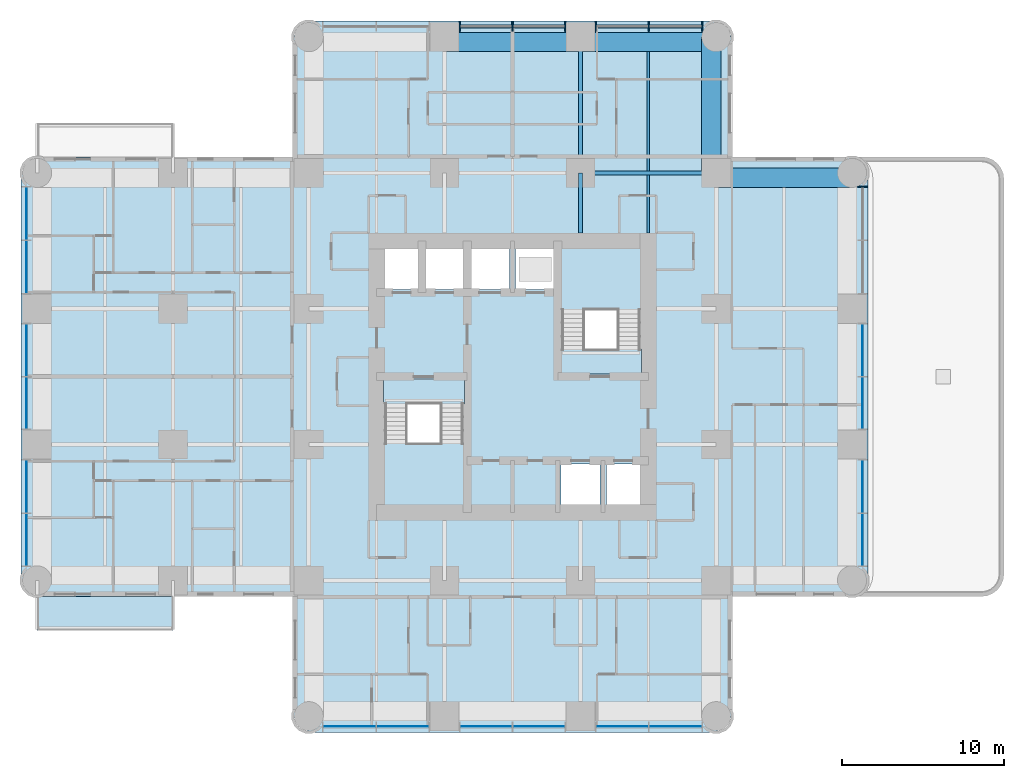
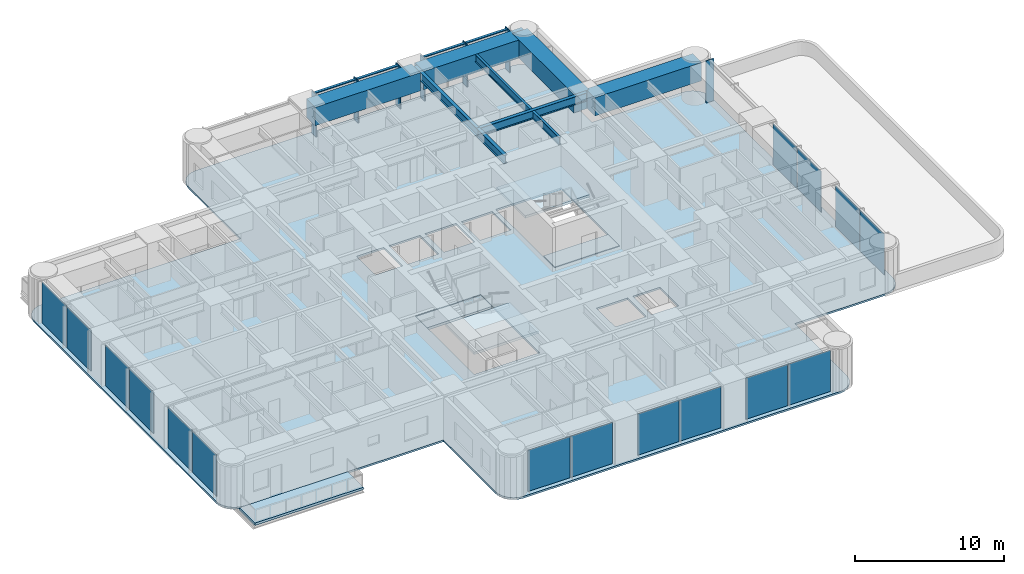
# One storey, part 3 of 12: 16 plates, 11 members, 9 beams, 6 slabs, 6 elements without a shape of their own.
"""IFC4 building model written with IfcOpenShell, lengths in metres."""

from ifc_helpers import new_model, si_unit, direction, frame, origin, origin_2d, place, context, subcontext, project, spatial, polyline, rectangle, i_section, outline, extrude, material, layer, layer_set, material_profile, profile_set, type_object, element, aggregate, save


model = new_model("IFC4")

# Units and contexts
model_context = context("Model", 3, precision=1e-05, world=origin(), true_north=direction((0.0, 1.0)))
body_context = subcontext(model_context, "Body", "Model", "MODEL_VIEW")
ifc_project = project(units=[si_unit("LENGTHUNIT", "METRE"), si_unit("AREAUNIT", "SQUARE_METRE"), si_unit("VOLUMEUNIT", "CUBIC_METRE"), si_unit("PLANEANGLEUNIT", "RADIAN"), si_unit("MASSUNIT", "GRAM", prefix="KILO")], contexts=[model_context])

# Site, building, storey
site_placement = place(None, origin())
site = spatial("IfcSite", under=ifc_project, at=site_placement, CompositionType="ELEMENT")
building_placement = place(site_placement, origin())
building = spatial("IfcBuilding", under=site, at=building_placement, Name="Torre Alcanfor", CompositionType="ELEMENT")
storey_placement = place(building_placement, frame((0.0, 0.0, 183.300048828125)))
storey = spatial("IfcBuildingStorey", under=building, at=storey_placement, Name="L47", CompositionType="ELEMENT", Elevation=183.300048828125)

# Curtain wall, member
ifc_material_1 = material(Name="Aluminium and glass", Category="aluminium")
curtain_wall_type = type_object("IfcCurtainWallType", Name="CW-A unitised apartment glazing with vertical FIN", PredefinedType="NOTDEFINED", material=ifc_material_1)
curtain_wall_1_placement = place(storey_placement, origin())
curtain_wall_1 = element("IfcCurtainWall", 1, at=curtain_wall_1_placement, inside=storey, type_object=curtain_wall_type, Name="Curtain wall CW-A L47 8", PredefinedType="NOTDEFINED")
ifc_material_2 = material(Name="Bronze anodised aluminium", Category="aluminium")
ifc_material_profile_1 = material_profile(ifc_material_2, rectangle(XDim=0.60009765625, YDim=0.06494140625, at=origin_2d()), Name="CW-A mullion 65x600")
ifc_profile_set_1 = profile_set([ifc_material_profile_1], Name="Bronze anodised aluminium")
member_type_1 = type_object("IfcMemberType", Name="CW-A mullion with vertical FIN 65x600", PredefinedType="MULLION", material=ifc_profile_set_1)
member_1_placement = place(storey_placement, frame((51.050048828125, 41.133056640625, 0.0), z_axis=(0.0, 0.0, 1.0), x_axis=(-1.0, 0.0, 0.0)))
member_1 = element("IfcMember", 2, at=member_1_placement, type_object=member_type_1, Name="CW-A mullion 3.3", PredefinedType="MULLION", context=body_context, shape_type="SweptSolid", body=[
    extrude(rectangle(XDim=0.60009765625, YDim=0.06494140625, at=origin_2d()), origin(), (0.0, 0.0, 1.0), 3.449951171875),
])

# Curtain wall, members
curtain_wall_2_placement = place(storey_placement, origin())
curtain_wall_2 = element("IfcCurtainWall", 3, at=curtain_wall_2_placement, inside=storey, type_object=curtain_wall_type, Name="Curtain wall CW-A L47 11", PredefinedType="NOTDEFINED")
member_2_placement = place(storey_placement, frame((41.133056640625, 51.050048828125, 0.0), z_axis=(0.0, 0.0, 1.0), x_axis=(0.0, -1.0, 0.0)))
member_2 = element("IfcMember", 4, at=member_2_placement, type_object=member_type_1, Name="CW-A mullion 1.1", PredefinedType="MULLION", context=body_context, shape_type="SweptSolid", body=[
    extrude(rectangle(XDim=0.60009765625, YDim=0.06494140625, at=origin_2d()), origin(), (0.0, 0.0, 1.0), 3.449951171875),
])
member_3_placement = place(storey_placement, frame((37.835205078125, 51.050048828125, 0.0), z_axis=(0.0, 0.0, 1.0), x_axis=(0.0, -1.0, 0.0)))
member_3 = element("IfcMember", 5, at=member_3_placement, type_object=member_type_1, Name="CW-A mullion 1.2", PredefinedType="MULLION", context=body_context, shape_type="SweptSolid", body=[
    extrude(rectangle(XDim=0.60009765625, YDim=0.06494140625, at=origin_2d()), origin(), (0.0, 0.0, 1.0), 3.449951171875),
])
member_4_placement = place(storey_placement, frame((34.53759765625, 51.050048828125, 0.0), z_axis=(0.0, 0.0, 1.0), x_axis=(0.0, -1.0, 0.0)))
member_4 = element("IfcMember", 6, at=member_4_placement, type_object=member_type_1, Name="CW-A mullion 1.3", PredefinedType="MULLION", context=body_context, shape_type="SweptSolid", body=[
    extrude(rectangle(XDim=0.60009765625, YDim=0.06494140625, at=origin_2d()), origin(), (0.0, 0.0, 1.0), 3.449951171875),
])
member_5_placement = place(storey_placement, frame((32.66259765625, 51.050048828125, 0.0), z_axis=(0.0, 0.0, 1.0), x_axis=(0.0, -1.0, 0.0)))
member_5 = element("IfcMember", 7, at=member_5_placement, type_object=member_type_1, Name="CW-A mullion 2.1", PredefinedType="MULLION", context=body_context, shape_type="SweptSolid", body=[
    extrude(rectangle(XDim=0.60009765625, YDim=0.06494140625, at=origin_2d()), origin(), (0.0, 0.0, 1.0), 3.449951171875),
])
member_6_placement = place(storey_placement, frame((29.39990234375, 51.050048828125, 0.0), z_axis=(0.0, 0.0, 1.0), x_axis=(0.0, -1.0, 0.0)))
member_6 = element("IfcMember", 8, at=member_6_placement, type_object=member_type_1, Name="CW-A mullion 2.2", PredefinedType="MULLION", context=body_context, shape_type="SweptSolid", body=[
    extrude(rectangle(XDim=0.60009765625, YDim=0.06494140625, at=origin_2d()), origin(), (0.0, 0.0, 1.0), 3.449951171875),
])
member_7_placement = place(storey_placement, frame((26.137451171875, 51.050048828125, 0.0), z_axis=(0.0, 0.0, 1.0), x_axis=(0.0, -1.0, 0.0)))
member_7 = element("IfcMember", 9, at=member_7_placement, type_object=member_type_1, Name="CW-A mullion 2.3", PredefinedType="MULLION", context=body_context, shape_type="SweptSolid", body=[
    extrude(rectangle(XDim=0.60009765625, YDim=0.06494140625, at=origin_2d()), origin(), (0.0, 0.0, 1.0), 3.449951171875),
])
ifc_material_3 = material(Name="Extruded aluminium", Category="aluminium")
ifc_material_profile_2 = material_profile(ifc_material_3, rectangle(XDim=0.199951171875, YDim=0.06494140625, at=origin_2d()), Name="CW-A transom 200x65")
ifc_profile_set_2 = profile_set([ifc_material_profile_2], Name="Extruded aluminium")
member_type_2 = type_object("IfcMemberType", Name="CW-A transom 65x200", PredefinedType="USERDEFINED", material=ifc_profile_set_2)
member_8_placement = place(storey_placement, frame((41.1005859375, 51.050048828125, 3.41748046875), z_axis=(-1.0, 0.0, 0.0), x_axis=(0.0, -1.0, 0.0)))
member_8 = element("IfcMember", 10, at=member_8_placement, type_object=member_type_2, Name="CW-A transom 1.1.2", ObjectType="TRANSOM", PredefinedType="USERDEFINED", context=body_context, shape_type="SweptSolid", body=[
    extrude(rectangle(XDim=0.199951171875, YDim=0.06494140625, at=origin_2d()), origin(), (0.0, 0.0, 1.0), 3.23291015625),
])
member_9_placement = place(storey_placement, frame((37.802734375, 51.050048828125, 3.41748046875), z_axis=(-1.0, 0.0, 0.0), x_axis=(0.0, -1.0, 0.0)))
member_9 = element("IfcMember", 11, at=member_9_placement, type_object=member_type_2, Name="CW-A transom 1.2.2", ObjectType="TRANSOM", PredefinedType="USERDEFINED", context=body_context, shape_type="SweptSolid", body=[
    extrude(rectangle(XDim=0.199951171875, YDim=0.06494140625, at=origin_2d()), origin(), (0.0, 0.0, 1.0), 3.232666015625),
])
member_10_placement = place(storey_placement, frame((32.6298828125, 51.050048828125, 3.41748046875), z_axis=(-1.0, 0.0, 0.0), x_axis=(0.0, -1.0, 0.0)))
member_10 = element("IfcMember", 12, at=member_10_placement, type_object=member_type_2, Name="CW-A transom 2.1.2", ObjectType="TRANSOM", PredefinedType="USERDEFINED", context=body_context, shape_type="SweptSolid", body=[
    extrude(rectangle(XDim=0.199951171875, YDim=0.06494140625, at=origin_2d()), origin(), (0.0, 0.0, 1.0), 3.197265625),
])
member_11_placement = place(storey_placement, frame((29.367431640625, 51.050048828125, 3.41748046875), z_axis=(-1.0, 0.0, 0.0), x_axis=(0.0, -1.0, 0.0)))
member_11 = element("IfcMember", 13, at=member_11_placement, type_object=member_type_2, Name="CW-A transom 2.2.2", ObjectType="TRANSOM", PredefinedType="USERDEFINED", context=body_context, shape_type="SweptSolid", body=[
    extrude(rectangle(XDim=0.199951171875, YDim=0.06494140625, at=origin_2d()), origin(), (0.0, 0.0, 1.0), 3.197509765625),
])
aggregate(curtain_wall_2, [member_2, member_3, member_4, member_8, member_9, member_5, member_6, member_7, member_10, member_11])

# Beams
ifc_material_4 = material(Name="Steel ASTM A992 Grade 50", Category="steel")
ifc_material_profile_3 = material_profile(ifc_material_4, i_section(OverallWidth=0.25390625, OverallDepth=0.683349609375, WebThickness=0.012451171875, FlangeThickness=0.01904296875, at=origin_2d()), Name="W27x94")
ifc_profile_set_3 = profile_set([ifc_material_profile_3], Name="Steel ASTM A992 Grade 50")
beam_type_1 = type_object("IfcBeamType", Name="Girder W27x94", PredefinedType="BEAM", material=ifc_profile_set_3)
for number, where, z_axis, x_axis, name in (
    (14, (33.60009765625, 42.0, 3.1083984375), (1.0, 0.0, 0.0), (0.0, 1.0, 0.0), "Beam 5H-6H under L48"),
    (15, (33.60009765625, 42.0, 3.1083984375), (0.0, 1.0, 0.0), (-1.0, 0.0, 0.0), "Beam 5H-5J under L48"),
):
    element("IfcBeam", number, at=place(storey_placement, frame(where, z_axis=z_axis, x_axis=x_axis)), inside=storey, type_object=beam_type_1, Name=name, PredefinedType="BEAM", context=body_context, shape_type="SweptSolid", body=[
        extrude(i_section(OverallWidth=0.25390625, OverallDepth=0.683349609375, WebThickness=0.012451171875, FlangeThickness=0.01904296875, at=origin_2d()), origin(), (0.0, 0.0, 1.0), 8.39990234375),
    ])
ifc_material_5 = material(Name="Steel ASTM A992 Grade 50", Category="steel")
ifc_material_profile_4 = material_profile(ifc_material_5, i_section(OverallWidth=0.25390625, OverallDepth=0.683349609375, WebThickness=0.012451171875, FlangeThickness=0.01904296875, at=origin_2d()), Name="W27x94")
ifc_profile_set_4 = profile_set([ifc_material_profile_4], Name="Steel ASTM A992 Grade 50")
beam_type_2 = type_object("IfcBeamType", Name="Girder, part bay W27x94", PredefinedType="BEAM", material=ifc_profile_set_4)
beam_1_placement = place(storey_placement, frame((33.60009765625, 42.0, 3.1083984375), z_axis=(0.0, -1.0, 0.0), x_axis=(1.0, 0.0, 0.0)))
element("IfcBeam", 16, at=beam_1_placement, inside=storey, type_object=beam_type_2, Name="Beam 5H-538_3 under L48", PredefinedType="BEAM", context=body_context, shape_type="SweptSolid", body=[
    extrude(i_section(OverallWidth=0.25390625, OverallDepth=0.683349609375, WebThickness=0.012451171875, FlangeThickness=0.01904296875, at=origin_2d()), origin(), (0.0, 0.0, 1.0), 3.699951171875),
])
ifc_material_6 = material(Name="Concrete f'c 70 MPa", Category="concrete")
ifc_material_profile_5 = material_profile(ifc_material_6, rectangle(XDim=1.199951171875, YDim=1.5, at=origin_2d()), Name="1200x1500")
ifc_profile_set_5 = profile_set([ifc_material_profile_5], Name="Concrete f'c 70 MPa")
beam_type_3 = type_object("IfcBeamType", Name="RC perimeter beam 1200x1500", PredefinedType="BEAM", material=ifc_profile_set_5)
beam_2_placement = place(storey_placement, frame((42.126953125, 41.699951171875, 2.699951171875), z_axis=(1.0, 0.0, 0.0), x_axis=(0.0, 1.0, 0.0)))
element("IfcBeam", 17, at=beam_2_placement, inside=storey, type_object=beam_type_3, Name="Beam 6H-7H under L48", PredefinedType="BEAM", context=body_context, shape_type="SweptSolid", body=[
    extrude(rectangle(XDim=1.199951171875, YDim=1.5, at=origin_2d()), origin(), (0.0, 0.0, 1.0), 8.27294921875),
])
beam_3_placement = place(storey_placement, frame((25.326904296875, 50.10009765625, 2.699951171875), z_axis=(1.0, 0.0, 0.0), x_axis=(0.0, 1.0, 0.0)))
element("IfcBeam", 18, at=beam_3_placement, inside=storey, type_object=beam_type_3, Name="Beam 4J-5J under L48", PredefinedType="BEAM", context=body_context, shape_type="SweptSolid", body=[
    extrude(rectangle(XDim=1.199951171875, YDim=1.5, at=origin_2d()), origin(), (0.0, 0.0, 1.0), 8.14599609375),
])
for number, where, z_axis, x_axis, name in (
    (19, (33.72705078125, 50.10009765625, 2.699951171875), (1.0, 0.0, 0.0), (0.0, 1.0, 0.0), "Beam 5J-6J under L48"),
    (20, (41.699951171875, 42.126953125, 2.699951171875), (0.0, 1.0, 0.0), (-1.0, 0.0, 0.0), "Beam 6H-6J under L48"),
):
    element("IfcBeam", number, at=place(storey_placement, frame(where, z_axis=z_axis, x_axis=x_axis)), inside=storey, type_object=beam_type_3, Name=name, PredefinedType="BEAM", context=body_context, shape_type="SweptSolid", body=[
        extrude(rectangle(XDim=1.199951171875, YDim=1.5, at=origin_2d()), origin(), (0.0, 0.0, 1.0), 8.27294921875),
    ])
ifc_material_7 = material(Name="Steel ASTM A992 Grade 50", Category="steel")
ifc_material_profile_6 = material_profile(ifc_material_7, i_section(OverallWidth=0.1787109375, OverallDepth=0.60205078125, WebThickness=0.010986328125, FlangeThickness=0.014892578125, at=origin_2d()), Name="W24x62")
ifc_profile_set_6 = profile_set([ifc_material_profile_6], Name="Steel ASTM A992 Grade 50")
beam_type_4 = type_object("IfcBeamType", Name="Secondary beam W24x62", PredefinedType="BEAM", material=ifc_profile_set_6)
beam_4_placement = place(storey_placement, frame((37.800048828125, 42.126953125, 3.14892578125), z_axis=(0.0, 1.0, 0.0), x_axis=(-1.0, 0.0, 0.0)))
element("IfcBeam", 21, at=beam_4_placement, inside=storey, type_object=beam_type_4, Name="Beam 37_8H-37_8J under L48", PredefinedType="BEAM", context=body_context, shape_type="SweptSolid", body=[
    extrude(i_section(OverallWidth=0.1787109375, OverallDepth=0.60205078125, WebThickness=0.010986328125, FlangeThickness=0.014892578125, at=origin_2d()), origin(), (0.0, 0.0, 1.0), 7.373046875),
])
ifc_material_8 = material(Name="Steel ASTM A992 Grade 50", Category="steel")
ifc_material_profile_7 = material_profile(ifc_material_8, i_section(OverallWidth=0.1787109375, OverallDepth=0.60205078125, WebThickness=0.010986328125, FlangeThickness=0.014892578125, at=origin_2d()), Name="W24x62")
ifc_profile_set_7 = profile_set([ifc_material_profile_7], Name="Steel ASTM A992 Grade 50")
beam_type_5 = type_object("IfcBeamType", Name="Secondary beam, part bay W24x62", PredefinedType="BEAM", material=ifc_profile_set_7)
beam_5_placement = place(storey_placement, frame((37.800048828125, 38.300048828125, 3.14892578125), z_axis=(0.0, 1.0, 0.0), x_axis=(-1.0, 0.0, 0.0)))
element("IfcBeam", 22, at=beam_5_placement, inside=storey, type_object=beam_type_5, Name="Beam 37_838_3-37_8H under L48", PredefinedType="BEAM", context=body_context, shape_type="SweptSolid", body=[
    extrude(i_section(OverallWidth=0.1787109375, OverallDepth=0.60205078125, WebThickness=0.010986328125, FlangeThickness=0.014892578125, at=origin_2d()), origin(), (0.0, 0.0, 1.0), 3.572998046875),
])

# Slab
ifc_material_9 = material(Name="Concrete f'c 35 MPa", Category="concrete")
ifc_layer_1 = layer(ifc_material_9, 0.199951171875)
ifc_layer_set_1 = layer_set([ifc_layer_1], Name="Balcony slab 200")
slab_type_1 = type_object("IfcSlabType", Name="Balcony slab 200", PredefinedType="FLOOR", material=ifc_layer_set_1)
slab_1_placement = place(storey_placement, frame((0.0, 0.0, -0.199951171875)))
element("IfcSlab", 23, at=slab_1_placement, inside=storey, type_object=slab_type_1, Name="Balcony L47-W1", PredefinedType="FLOOR", context=body_context, shape_type="SweptSolid", body=[
    extrude(outline(polyline([(8.39990234375, 15.800048828125), (0.0, 15.800048828125), (0.0, 13.699951171875), (8.39990234375, 13.699951171875), (8.39990234375, 15.800048828125)])), origin(), (0.0, 0.0, 1.0), 0.199951171875),
])

# Curtain wall, plates
curtain_wall_3_placement = place(storey_placement, origin())
curtain_wall_3 = element("IfcCurtainWall", 24, at=curtain_wall_3_placement, inside=storey, type_object=curtain_wall_type, Name="Curtain wall CW-A L47 2", PredefinedType="NOTDEFINED")
ifc_material_10 = material(Name="Glass", Category="glass")
ifc_layer_2 = layer(ifc_material_10, 0.028076171875)
ifc_layer_set_2 = layer_set([ifc_layer_2], Name="CW-A clear double glazed unit")
plate_type = type_object("IfcPlateType", Name="CW-A clear double glazed unit", PredefinedType="CURTAIN_PANEL", material=ifc_layer_set_2)
plate_1_placement = place(storey_placement, frame((-0.64990234375, 39.484130859375, 0.0), z_axis=(0.0, 0.0, 1.0), x_axis=(0.0, -1.0, 0.0)))
plate_1 = element("IfcPlate", 25, at=plate_1_placement, type_object=plate_type, Name="CW-A panel 1.1.1", PredefinedType="CURTAIN_PANEL", context=body_context, shape_type="SweptSolid", body=[
    extrude(rectangle(XDim=3.232666015625, YDim=0.028076171875, at=origin_2d()), origin(), (0.0, 0.0, 1.0), 3.385009765625),
])
plate_2_placement = place(storey_placement, frame((-0.64990234375, 36.186279296875, 0.0), z_axis=(0.0, 0.0, 1.0), x_axis=(0.0, -1.0, 0.0)))
plate_2 = element("IfcPlate", 26, at=plate_2_placement, type_object=plate_type, Name="CW-A panel 1.2.1", PredefinedType="CURTAIN_PANEL", context=body_context, shape_type="SweptSolid", body=[
    extrude(rectangle(XDim=3.232666015625, YDim=0.028076171875, at=origin_2d()), origin(), (0.0, 0.0, 1.0), 3.385009765625),
])
plate_3_placement = place(storey_placement, frame((-0.64990234375, 31.03125, 0.0), z_axis=(0.0, 0.0, 1.0), x_axis=(0.0, -1.0, 0.0)))
plate_3 = element("IfcPlate", 27, at=plate_3_placement, type_object=plate_type, Name="CW-A panel 2.1.1", PredefinedType="CURTAIN_PANEL", context=body_context, shape_type="SweptSolid", body=[
    extrude(rectangle(XDim=3.197509765625, YDim=0.028076171875, at=origin_2d()), origin(), (0.0, 0.0, 1.0), 3.385009765625),
])
plate_4_placement = place(storey_placement, frame((-0.64990234375, 27.768798828125, 0.0), z_axis=(0.0, 0.0, 1.0), x_axis=(0.0, -1.0, 0.0)))
plate_4 = element("IfcPlate", 28, at=plate_4_placement, type_object=plate_type, Name="CW-A panel 2.2.1", PredefinedType="CURTAIN_PANEL", context=body_context, shape_type="SweptSolid", body=[
    extrude(rectangle(XDim=3.197509765625, YDim=0.028076171875, at=origin_2d()), origin(), (0.0, 0.0, 1.0), 3.385009765625),
])
plate_5_placement = place(storey_placement, frame((-0.64990234375, 22.613525390625, 0.0), z_axis=(0.0, 0.0, 1.0), x_axis=(0.0, -1.0, 0.0)))
plate_5 = element("IfcPlate", 29, at=plate_5_placement, type_object=plate_type, Name="CW-A panel 3.1.1", PredefinedType="CURTAIN_PANEL", context=body_context, shape_type="SweptSolid", body=[
    extrude(rectangle(XDim=3.232666015625, YDim=0.028076171875, at=origin_2d()), origin(), (0.0, 0.0, 1.0), 3.385009765625),
])
plate_6_placement = place(storey_placement, frame((-0.64990234375, 19.31591796875, 0.0), z_axis=(0.0, 0.0, 1.0), x_axis=(0.0, -1.0, 0.0)))
plate_6 = element("IfcPlate", 30, at=plate_6_placement, type_object=plate_type, Name="CW-A panel 3.2.1", PredefinedType="CURTAIN_PANEL", context=body_context, shape_type="SweptSolid", body=[
    extrude(rectangle(XDim=3.232666015625, YDim=0.028076171875, at=origin_2d()), origin(), (0.0, 0.0, 1.0), 3.385009765625),
])
aggregate(curtain_wall_3, [plate_1, plate_2, plate_3, plate_4, plate_5, plate_6])

curtain_wall_4_placement = place(storey_placement, origin())
curtain_wall_4 = element("IfcCurtainWall", 31, at=curtain_wall_4_placement, inside=storey, type_object=curtain_wall_type, Name="Curtain wall CW-A L47 5", PredefinedType="NOTDEFINED")
plate_7_placement = place(storey_placement, frame((19.31591796875, 7.75, 0.0), z_axis=(0.0, 0.0, 1.0), x_axis=(1.0, 0.0, 0.0)))
plate_7 = element("IfcPlate", 32, at=plate_7_placement, type_object=plate_type, Name="CW-A panel 1.1.1", PredefinedType="CURTAIN_PANEL", context=body_context, shape_type="SweptSolid", body=[
    extrude(rectangle(XDim=3.232666015625, YDim=0.028076171875, at=origin_2d()), origin(), (0.0, 0.0, 1.0), 3.385009765625),
])
plate_8_placement = place(storey_placement, frame((22.613525390625, 7.75, 0.0), z_axis=(0.0, 0.0, 1.0), x_axis=(1.0, 0.0, 0.0)))
plate_8 = element("IfcPlate", 33, at=plate_8_placement, type_object=plate_type, Name="CW-A panel 1.2.1", PredefinedType="CURTAIN_PANEL", context=body_context, shape_type="SweptSolid", body=[
    extrude(rectangle(XDim=3.232666015625, YDim=0.028076171875, at=origin_2d()), origin(), (0.0, 0.0, 1.0), 3.385009765625),
])
plate_9_placement = place(storey_placement, frame((27.768798828125, 7.75, 0.0), z_axis=(0.0, 0.0, 1.0), x_axis=(1.0, 0.0, 0.0)))
plate_9 = element("IfcPlate", 34, at=plate_9_placement, type_object=plate_type, Name="CW-A panel 2.1.1", PredefinedType="CURTAIN_PANEL", context=body_context, shape_type="SweptSolid", body=[
    extrude(rectangle(XDim=3.197509765625, YDim=0.028076171875, at=origin_2d()), origin(), (0.0, 0.0, 1.0), 3.385009765625),
])
plate_10_placement = place(storey_placement, frame((31.03125, 7.75, 0.0), z_axis=(0.0, 0.0, 1.0), x_axis=(1.0, 0.0, 0.0)))
plate_10 = element("IfcPlate", 35, at=plate_10_placement, type_object=plate_type, Name="CW-A panel 2.2.1", PredefinedType="CURTAIN_PANEL", context=body_context, shape_type="SweptSolid", body=[
    extrude(rectangle(XDim=3.197509765625, YDim=0.028076171875, at=origin_2d()), origin(), (0.0, 0.0, 1.0), 3.385009765625),
])
plate_11_placement = place(storey_placement, frame((36.186279296875, 7.75, 0.0), z_axis=(0.0, 0.0, 1.0), x_axis=(1.0, 0.0, 0.0)))
plate_11 = element("IfcPlate", 36, at=plate_11_placement, type_object=plate_type, Name="CW-A panel 3.1.1", PredefinedType="CURTAIN_PANEL", context=body_context, shape_type="SweptSolid", body=[
    extrude(rectangle(XDim=3.232666015625, YDim=0.028076171875, at=origin_2d()), origin(), (0.0, 0.0, 1.0), 3.385009765625),
])
plate_12_placement = place(storey_placement, frame((39.484130859375, 7.75, 0.0), z_axis=(0.0, 0.0, 1.0), x_axis=(1.0, 0.0, 0.0)))
plate_12 = element("IfcPlate", 37, at=plate_12_placement, type_object=plate_type, Name="CW-A panel 3.2.1", PredefinedType="CURTAIN_PANEL", context=body_context, shape_type="SweptSolid", body=[
    extrude(rectangle(XDim=3.232666015625, YDim=0.028076171875, at=origin_2d()), origin(), (0.0, 0.0, 1.0), 3.385009765625),
])
aggregate(curtain_wall_4, [plate_7, plate_8, plate_9, plate_10, plate_11, plate_12])

# Plate
plate_13_placement = place(storey_placement, frame((51.050048828125, 19.31591796875, 0.0), z_axis=(0.0, 0.0, 1.0), x_axis=(0.0, 1.0, 0.0)))
plate_13 = element("IfcPlate", 38, at=plate_13_placement, type_object=plate_type, Name="CW-A panel 1.1.1", PredefinedType="CURTAIN_PANEL", context=body_context, shape_type="SweptSolid", body=[
    extrude(rectangle(XDim=3.232666015625, YDim=0.028076171875, at=origin_2d()), origin(), (0.0, 0.0, 1.0), 3.385009765625),
])

plate_14_placement = place(storey_placement, frame((51.050048828125, 22.613525390625, 0.0), z_axis=(0.0, 0.0, 1.0), x_axis=(0.0, 1.0, 0.0)))
plate_14 = element("IfcPlate", 39, at=plate_14_placement, type_object=plate_type, Name="CW-A panel 1.2.1", PredefinedType="CURTAIN_PANEL", context=body_context, shape_type="SweptSolid", body=[
    extrude(rectangle(XDim=3.232666015625, YDim=0.028076171875, at=origin_2d()), origin(), (0.0, 0.0, 1.0), 3.385009765625),
])

plate_15_placement = place(storey_placement, frame((51.050048828125, 27.768798828125, 0.0), z_axis=(0.0, 0.0, 1.0), x_axis=(0.0, 1.0, 0.0)))
plate_15 = element("IfcPlate", 40, at=plate_15_placement, type_object=plate_type, Name="CW-A panel 2.1.1", PredefinedType="CURTAIN_PANEL", context=body_context, shape_type="SweptSolid", body=[
    extrude(rectangle(XDim=3.197509765625, YDim=0.028076171875, at=origin_2d()), origin(), (0.0, 0.0, 1.0), 3.385009765625),
])

plate_16_placement = place(storey_placement, frame((51.050048828125, 31.03125, 0.0), z_axis=(0.0, 0.0, 1.0), x_axis=(0.0, 1.0, 0.0)))
plate_16 = element("IfcPlate", 41, at=plate_16_placement, type_object=plate_type, Name="CW-A panel 2.2.1", PredefinedType="CURTAIN_PANEL", context=body_context, shape_type="SweptSolid", body=[
    extrude(rectangle(XDim=3.197509765625, YDim=0.028076171875, at=origin_2d()), origin(), (0.0, 0.0, 1.0), 3.385009765625),
])

aggregate(curtain_wall_1, [plate_13, plate_14, plate_15, plate_16, member_1])

# Slab
ifc_material_11 = material(Name="Concrete f'c 35 MPa", Category="concrete")
ifc_layer_3 = layer(ifc_material_11, 0.14990234375)
ifc_layer_set_3 = layer_set([ifc_layer_3], Name="Composite floor 150 on metal deck")
slab_type_2 = type_object("IfcSlabType", Name="Composite floor 150 on metal deck", PredefinedType="FLOOR", material=ifc_layer_set_3)
slab_2_placement = place(storey_placement, frame((0.0, 0.0, -0.150146484375)))
element("IfcSlab", 42, at=slab_2_placement, inside=storey, type_object=slab_type_2, Name="Floor slab L47", PredefinedType="FLOOR", context=body_context, shape_type="SweptSolid", body=[
    extrude(outline(polyline([(15.800048828125, 43.0), (0.39990234375, 43.0), (0.03759765625, 42.952392578125), (-0.300048828125, 42.8125), (-0.58984375, 42.58984375), (-0.8125, 42.300048828125), (-0.952392578125, 41.96240234375), (-1.0, 41.60009765625), (-1.0, 17.199951171875), (-0.952392578125, 16.837646484375), (-0.8125, 16.5), (-0.58984375, 16.210205078125), (-0.300048828125, 15.987548828125), (0.03759765625, 15.84765625), (0.39990234375, 15.800048828125), (15.800048828125, 15.800048828125), (15.800048828125, 8.800048828125), (15.84765625, 8.437744140625), (15.987548828125, 8.10009765625), (16.210205078125, 7.81005859375), (16.5, 7.587646484375), (16.837646484375, 7.44775390625), (17.199951171875, 7.39990234375), (41.60009765625, 7.39990234375), (41.96240234375, 7.44775390625), (42.300048828125, 7.587646484375), (42.58984375, 7.81005859375), (42.8125, 8.10009765625), (42.952392578125, 8.437744140625), (43.0, 8.800048828125), (43.0, 15.800048828125), (50.0, 15.800048828125), (50.3623046875, 15.84765625), (50.699951171875, 15.987548828125), (50.989990234375, 16.210205078125), (51.21240234375, 16.5), (51.352294921875, 16.837646484375), (51.39990234375, 17.199951171875), (51.39990234375, 41.60009765625), (51.352294921875, 41.96240234375), (51.21240234375, 42.300048828125), (50.989990234375, 42.58984375), (50.699951171875, 42.8125), (50.3623046875, 42.952392578125), (50.0, 43.0), (43.0, 43.0), (43.0, 50.0), (42.952392578125, 50.3623046875), (42.8125, 50.699951171875), (42.58984375, 50.989990234375), (42.300048828125, 51.21240234375), (41.96240234375, 51.352294921875), (41.60009765625, 51.39990234375), (17.199951171875, 51.39990234375), (16.837646484375, 51.352294921875), (16.5, 51.21240234375), (16.210205078125, 50.989990234375), (15.987548828125, 50.699951171875), (15.84765625, 50.3623046875), (15.800048828125, 50.0), (15.800048828125, 43.0)]), holes=[polyline([(21.419921875, 21.419921875), (26.47998046875, 21.419921875), (26.47998046875, 29.280029296875), (21.419921875, 29.280029296875), (21.419921875, 21.419921875)]), polyline([(32.320068359375, 29.52001953125), (37.3798828125, 29.52001953125), (37.3798828125, 37.3798828125), (32.320068359375, 37.3798828125), (32.320068359375, 29.52001953125)]), polyline([(32.39990234375, 21.5), (34.800048828125, 21.5), (34.800048828125, 24.0), (32.39990234375, 24.0), (32.39990234375, 21.5)]), polyline([(35.199951171875, 21.5), (37.300048828125, 21.5), (37.300048828125, 24.0), (35.199951171875, 24.0), (35.199951171875, 21.5)]), polyline([(21.5, 34.800048828125), (23.60009765625, 34.800048828125), (23.60009765625, 37.300048828125), (21.5, 37.300048828125), (21.5, 34.800048828125)]), polyline([(24.0, 34.800048828125), (26.39990234375, 34.800048828125), (26.39990234375, 37.300048828125), (24.0, 37.300048828125), (24.0, 34.800048828125)]), polyline([(26.800048828125, 34.800048828125), (29.199951171875, 34.800048828125), (29.199951171875, 37.300048828125), (26.800048828125, 37.300048828125), (26.800048828125, 34.800048828125)]), polyline([(29.60009765625, 34.800048828125), (32.0, 34.800048828125), (32.0, 37.300048828125), (29.60009765625, 37.300048828125), (29.60009765625, 34.800048828125)])]), origin(), (0.0, 0.0, 1.0), 0.150146484375),
])

# Stair, slabs
ifc_material_12 = material(Name="Concrete f'c 35 MPa", Category="concrete")
stair_type_1 = type_object("IfcStairType", Name="Exit stair S1 1400 wide", PredefinedType="HALF_TURN_STAIR", material=ifc_material_12)
stair_1_placement = place(storey_placement, origin())
stair_1 = element("IfcStair", 43, at=stair_1_placement, inside=storey, type_object=stair_type_1, Name="Stair S1 L47 to L48", PredefinedType="HALF_TURN_STAIR")
ifc_material_13 = material(Name="Concrete f'c 35 MPa", Category="concrete")
ifc_layer_4 = layer(ifc_material_13, 0.199951171875)
ifc_layer_set_4 = layer_set([ifc_layer_4], Name="Stair landing 200")
slab_type_3 = type_object("IfcSlabType", Name="Stair landing 200", PredefinedType="LANDING", material=ifc_layer_set_4)
slab_3_placement = place(storey_placement, frame((0.0, 0.0, -0.199951171875)))
slab_3 = element("IfcSlab", 44, at=slab_3_placement, type_object=slab_type_3, Name="S1 landing 1", PredefinedType="LANDING", context=body_context, shape_type="SweptSolid", body=[
    extrude(outline(polyline([(21.419921875, 27.699951171875), (26.429931640625, 27.699951171875), (26.429931640625, 29.22998046875), (21.419921875, 29.22998046875), (21.419921875, 27.699951171875)])), origin(), (0.0, 0.0, 1.0), 0.199951171875),
])
slab_4_placement = place(storey_placement, frame((0.0, 0.0, 1.599853515625)))
slab_4 = element("IfcSlab", 45, at=slab_4_placement, type_object=slab_type_3, Name="S1 landing 2", PredefinedType="LANDING", context=body_context, shape_type="SweptSolid", body=[
    extrude(outline(polyline([(21.419921875, 21.419921875), (26.429931640625, 21.419921875), (26.429931640625, 25.280029296875), (21.419921875, 25.280029296875), (21.419921875, 21.419921875)])), origin(), (0.0, 0.0, 1.0), 0.2001953125),
])
aggregate(stair_1, [slab_3, slab_4])

ifc_material_14 = material(Name="Concrete f'c 35 MPa", Category="concrete")
stair_type_2 = type_object("IfcStairType", Name="Exit stair S2 1400 wide", PredefinedType="HALF_TURN_STAIR", material=ifc_material_14)
stair_2_placement = place(storey_placement, origin())
stair_2 = element("IfcStair", 46, at=stair_2_placement, inside=storey, type_object=stair_type_2, Name="Stair S2 L47 to L48", PredefinedType="HALF_TURN_STAIR")
slab_5_placement = place(storey_placement, frame((0.0, 0.0, -0.199951171875)))
slab_5 = element("IfcSlab", 47, at=slab_5_placement, type_object=slab_type_3, Name="S2 landing 1", PredefinedType="LANDING", context=body_context, shape_type="SweptSolid", body=[
    extrude(outline(polyline([(32.3701171875, 29.570068359375), (37.3798828125, 29.570068359375), (37.3798828125, 31.10009765625), (32.3701171875, 31.10009765625), (32.3701171875, 29.570068359375)])), origin(), (0.0, 0.0, 1.0), 0.199951171875),
])
slab_6_placement = place(storey_placement, frame((0.0, 0.0, 1.599853515625)))
slab_6 = element("IfcSlab", 48, at=slab_6_placement, type_object=slab_type_3, Name="S2 landing 2", PredefinedType="LANDING", context=body_context, shape_type="SweptSolid", body=[
    extrude(outline(polyline([(32.3701171875, 33.52001953125), (37.3798828125, 33.52001953125), (37.3798828125, 37.3798828125), (32.3701171875, 37.3798828125), (32.3701171875, 33.52001953125)])), origin(), (0.0, 0.0, 1.0), 0.2001953125),
])
aggregate(stair_2, [slab_5, slab_6])

save(model, "model.ifc")
